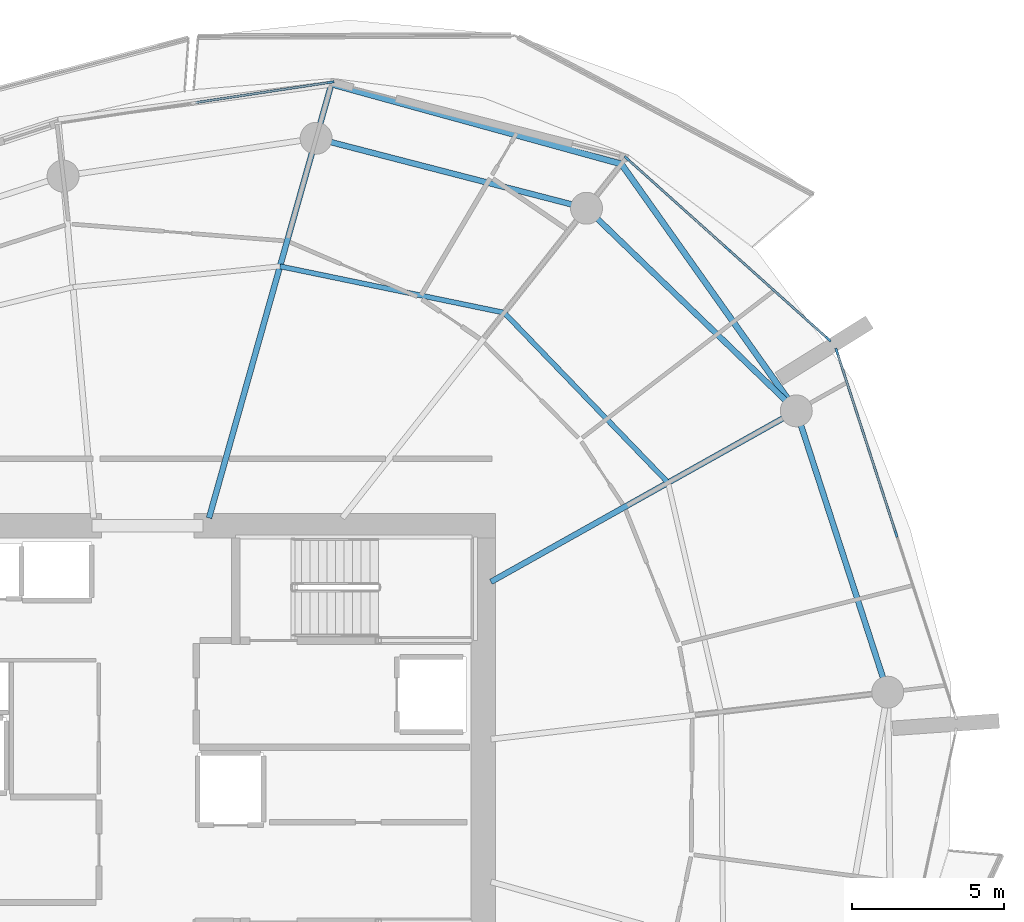
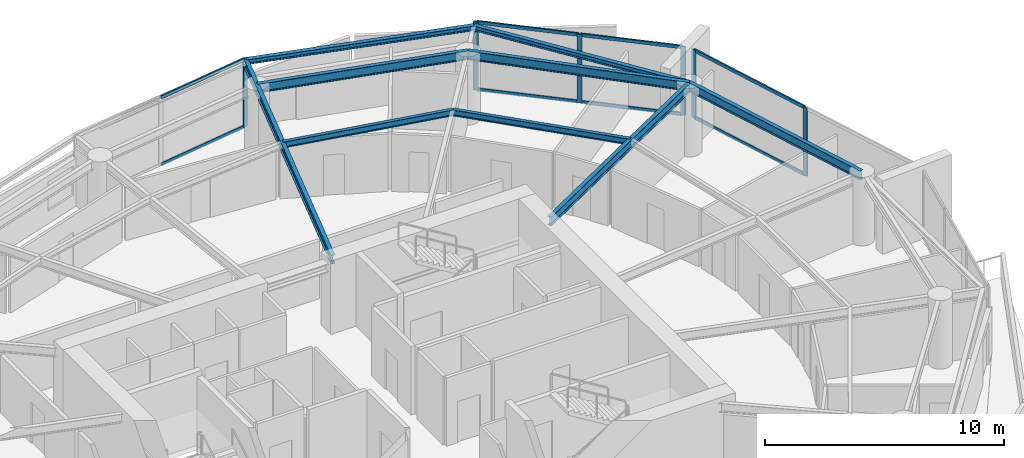
# One storey, part 9 of 20: 14 members, 9 beams, 3 elements without a shape of their own.
"""IFC4 building model written with IfcOpenShell, lengths in metres."""

from ifc_helpers import new_model, si_unit, direction, frame, origin, origin_2d, place, context, subcontext, project, spatial, rectangle, i_section, extrude, material, layer, layer_set, material_profile, profile_set, type_object, element, aggregate, save


model = new_model("IFC4")

# Units and contexts
model_context = context("Model", 3, precision=1e-05, world=origin(), true_north=direction((0.0, 1.0)))
body_context = subcontext(model_context, "Body", "Model", "MODEL_VIEW")
ifc_project = project(units=[si_unit("LENGTHUNIT", "METRE"), si_unit("AREAUNIT", "SQUARE_METRE"), si_unit("VOLUMEUNIT", "CUBIC_METRE"), si_unit("PLANEANGLEUNIT", "RADIAN"), si_unit("MASSUNIT", "GRAM", prefix="KILO")], contexts=[model_context])

# Site, building, storey
site_placement = place(None, origin())
site = spatial("IfcSite", under=ifc_project, at=site_placement, CompositionType="ELEMENT")
building_placement = place(site_placement, origin())
building = spatial("IfcBuilding", under=site, at=building_placement, Name="Kazma Halo Residences", CompositionType="ELEMENT")
storey_placement = place(building_placement, frame((0.0, 0.0, 139.050048828125)))
storey = spatial("IfcBuildingStorey", under=building, at=storey_placement, Name="L34", CompositionType="ELEMENT", Elevation=139.050048828125)

# Beams
ifc_material_1 = material(Name="Steel S355", Category="steel")
ifc_material_profile_1 = material_profile(ifc_material_1, i_section(OverallWidth=0.201904296875, OverallDepth=0.2470703125, WebThickness=0.00732421875, FlangeThickness=0.010986328125, FilletRadius=0.011962890625, at=origin_2d()), Name="W250x49.1")
ifc_profile_set_1 = profile_set([ifc_material_profile_1], Name="Steel S355")
beam_type_1 = type_object("IfcBeamType", Name="BM-BAL-CANT", PredefinedType="BEAM", material=ifc_profile_set_1)
beam_1_placement = place(storey_placement, frame((69.730224609375, 54.16943359375, 3.37646484375), z_axis=(-0.578203432081, 0.81589263456, 0.0), x_axis=(-0.81589263456, -0.578203432081, 0.0)))
element("IfcBeam", 1, at=beam_1_placement, inside=storey, type_object=beam_type_1, Name="L34 wave-balcony lead tie beam 01", PredefinedType="BEAM", context=body_context, shape_type="SweptSolid", body=[
    extrude(i_section(OverallWidth=0.201904296875, OverallDepth=0.2470703125, WebThickness=0.00732421875, FlangeThickness=0.010986328125, FilletRadius=0.011962890625, at=origin_2d()), origin(), (0.0, 0.0, 1.0), 9.9365234375),
])
beam_2_placement = place(storey_placement, frame((63.98486328125, 62.276611328125, 3.37646484375), z_axis=(-0.964045237638, 0.265738179019, 0.0), x_axis=(-0.265738179019, -0.964045237638, 0.0)))
element("IfcBeam", 2, at=beam_2_placement, inside=storey, type_object=beam_type_1, Name="L34 wave-balcony tie beam 02", PredefinedType="BEAM", context=body_context, shape_type="SweptSolid", body=[
    extrude(i_section(OverallWidth=0.201904296875, OverallDepth=0.2470703125, WebThickness=0.00732421875, FlangeThickness=0.010986328125, FilletRadius=0.011962890625, at=origin_2d()), origin(), (0.0, 0.0, 1.0), 9.880859375),
])
ifc_material_profile_2 = material_profile(ifc_material_1, i_section(OverallWidth=0.18994140625, OverallDepth=0.45703125, WebThickness=0.009033203125, FlangeThickness=0.014404296875, FilletRadius=0.01611328125, at=origin_2d()), Name="W460x74")
ifc_profile_set_2 = profile_set([ifc_material_profile_2], Name="Steel S355")
beam_type_2 = type_object("IfcBeamType", Name="BM-RAD-W460", PredefinedType="BEAM", material=ifc_profile_set_2)
beam_3_placement = place(storey_placement, frame((59.699951171875, 48.55224609375, 3.271484375), z_axis=(0.872497324456, 0.488618889132, 0.0), x_axis=(-0.488618889132, 0.872497324456, 0.0)))
element("IfcBeam", 3, at=beam_3_placement, inside=storey, type_object=beam_type_2, Name="L34 radial floor beam 01", PredefinedType="BEAM", context=body_context, shape_type="SweptSolid", body=[
    extrude(i_section(OverallWidth=0.18994140625, OverallDepth=0.45703125, WebThickness=0.009033203125, FlangeThickness=0.014404296875, FilletRadius=0.01611328125, at=origin_2d()), origin(), (0.0, 0.0, 1.0), 11.49609375),
])
beam_4_placement = place(storey_placement, frame((50.439697265625, 50.64990234375, 3.271484375), z_axis=(0.271435886816, 0.962456523355, 0.0), x_axis=(-0.962456523355, 0.271435886816, 0.0)))
element("IfcBeam", 4, at=beam_4_placement, inside=storey, type_object=beam_type_2, Name="L34 radial floor beam 03", PredefinedType="BEAM", context=body_context, shape_type="SweptSolid", body=[
    extrude(i_section(OverallWidth=0.18994140625, OverallDepth=0.45703125, WebThickness=0.009033203125, FlangeThickness=0.014404296875, FilletRadius=0.01611328125, at=origin_2d()), origin(), (0.0, 0.0, 1.0), 14.808349609375),
])
ifc_material_profile_3 = material_profile(ifc_material_1, i_section(OverallWidth=0.1650390625, OverallDepth=0.31005859375, WebThickness=0.005859375, FlangeThickness=0.009765625, FilletRadius=0.011962890625, at=origin_2d()), Name="W310x38.7")
ifc_profile_set_3 = profile_set([ifc_material_profile_3], Name="Steel S355")
beam_type_3 = type_object("IfcBeamType", Name="BM-SEC-W310B", PredefinedType="JOIST", material=ifc_profile_set_3)
beam_5_placement = place(storey_placement, frame((65.517578125, 51.810302734375, 3.344970703125), z_axis=(-0.694049338985, 0.719927437354, 0.0), x_axis=(-0.719927437354, -0.694049338985, 0.0)))
element("IfcBeam", 5, at=beam_5_placement, inside=storey, type_object=beam_type_3, Name="L34 circumferential floor joist 01", PredefinedType="JOIST", context=body_context, shape_type="SweptSolid", body=[
    extrude(i_section(OverallWidth=0.1650390625, OverallDepth=0.31005859375, WebThickness=0.005859375, FlangeThickness=0.009765625, FilletRadius=0.011962890625, at=origin_2d()), origin(), (0.0, 0.0, 1.0), 7.7548828125),
])
beam_6_placement = place(storey_placement, frame((60.13525390625, 57.393310546875, 3.344970703125), z_axis=(-0.979272189631, 0.202548706773, 0.0), x_axis=(-0.202548706773, -0.979272189631, 0.0)))
element("IfcBeam", 6, at=beam_6_placement, inside=storey, type_object=beam_type_3, Name="L34 circumferential floor joist 02", PredefinedType="JOIST", context=body_context, shape_type="SweptSolid", body=[
    extrude(i_section(OverallWidth=0.1650390625, OverallDepth=0.31005859375, WebThickness=0.005859375, FlangeThickness=0.009765625, FilletRadius=0.011962890625, at=origin_2d()), origin(), (0.0, 0.0, 1.0), 7.52001953125),
])
ifc_material_profile_4 = material_profile(ifc_material_1, i_section(OverallWidth=0.18994140625, OverallDepth=0.45703125, WebThickness=0.009033203125, FlangeThickness=0.014404296875, FilletRadius=0.01611328125, at=origin_2d()), Name="W460x74")
ifc_profile_set_4 = profile_set([ifc_material_profile_4], Name="Steel S355")
beam_type_4 = type_object("IfcBeamType", Name="BM-SPN-W460", PredefinedType="BEAM", material=ifc_profile_set_4)
beam_7_placement = place(storey_placement, frame((69.730224609375, 54.16943359375, 3.271484375), z_axis=(-0.719334705845, 0.694663645923, 0.0), x_axis=(-0.694663645923, -0.719334705845, 0.0)))
element("IfcBeam", 7, at=beam_7_placement, inside=storey, type_object=beam_type_4, Name="L34 perimeter ring beam 01", PredefinedType="BEAM", context=body_context, shape_type="SweptSolid", body=[
    extrude(i_section(OverallWidth=0.18994140625, OverallDepth=0.45703125, WebThickness=0.009033203125, FlangeThickness=0.014404296875, FilletRadius=0.01611328125, at=origin_2d()), origin(), (0.0, 0.0, 1.0), 9.5791015625),
])
beam_8_placement = place(storey_placement, frame((62.839599609375, 60.82373046875, 3.271484375), z_axis=(-0.968123664213, 0.250472694699, 0.0), x_axis=(-0.250472694699, -0.968123664213, 0.0)))
element("IfcBeam", 8, at=beam_8_placement, inside=storey, type_object=beam_type_4, Name="L34 perimeter ring beam 02", PredefinedType="BEAM", context=body_context, shape_type="SweptSolid", body=[
    extrude(i_section(OverallWidth=0.18994140625, OverallDepth=0.45703125, WebThickness=0.009033203125, FlangeThickness=0.014404296875, FilletRadius=0.01611328125, at=origin_2d()), origin(), (0.0, 0.0, 1.0), 9.175048828125),
])
beam_9_placement = place(storey_placement, frame((72.733154296875, 44.927490234375, 3.271484375), z_axis=(-0.309020741629, 0.95105529873, 0.0), x_axis=(-0.95105529873, -0.309020741629, 0.0)))
element("IfcBeam", 9, at=beam_9_placement, inside=storey, type_object=beam_type_4, Name="L34 perimeter ring beam 16", PredefinedType="BEAM", context=body_context, shape_type="SweptSolid", body=[
    extrude(i_section(OverallWidth=0.18994140625, OverallDepth=0.45703125, WebThickness=0.009033203125, FlangeThickness=0.014404296875, FilletRadius=0.01611328125, at=origin_2d()), origin(), (0.0, 0.0, 1.0), 9.717529296875),
])

# Curtain wall, members
ifc_material_2 = material(Name="Aluminium AW-6063 T6 and Triple-Silver Low-E Glass", Category="aluminium")
ifc_layer = layer(ifc_material_2, 0.219970703125)
ifc_layer_set = layer_set([ifc_layer], Name="Aluminium AW-6063 T6 and Triple-Silver Low-E Glass")
curtain_wall_type = type_object("IfcCurtainWallType", Name="CW-SYS-4", PredefinedType="NOTDEFINED", material=ifc_layer_set)
curtain_wall_1_placement = place(storey_placement, origin())
curtain_wall_1 = element("IfcCurtainWall", 10, at=curtain_wall_1_placement, inside=storey, type_object=curtain_wall_type, Name="L34 unitised curtain wall B01", PredefinedType="NOTDEFINED")
ifc_material_3 = material(Name="Aluminium AW-6063 T6", Category="aluminium")
ifc_material_profile_5 = material_profile(ifc_material_3, rectangle(XDim=0.074951171875, YDim=0.219970703125, at=origin_2d()), Name="CWM-75x220")
ifc_profile_set_5 = profile_set([ifc_material_profile_5], Name="Aluminium AW-6063 T6")
member_type_1 = type_object("IfcMemberType", Name="CW-SYS-4-MUL", PredefinedType="MULLION", material=ifc_profile_set_5)
member_1_placement = place(storey_placement, frame((70.778564453125, 56.5263671875, 0.0), z_axis=(0.0, 0.0, 1.0), x_axis=(-0.667770096247, -0.744367582957, 0.0)))
member_1 = element("IfcMember", 11, at=member_1_placement, type_object=member_type_1, Name="CWS-4 mullion 1", PredefinedType="MULLION", context=body_context, shape_type="SweptSolid", body=[
    extrude(rectangle(XDim=0.074951171875, YDim=0.219970703125, at=origin_2d()), origin(), (0.0, 0.0, 1.0), 3.5),
])
member_2_placement = place(storey_placement, frame((67.47509765625, 59.48974609375, 0.0), z_axis=(0.0, 0.0, 1.0), x_axis=(-0.667770096247, -0.744367582957, 0.0)))
member_2 = element("IfcMember", 12, at=member_2_placement, type_object=member_type_1, Name="CWS-4 mullion 2", PredefinedType="MULLION", context=body_context, shape_type="SweptSolid", body=[
    extrude(rectangle(XDim=0.074951171875, YDim=0.219970703125, at=origin_2d()), origin(), (0.0, 0.0, 1.0), 3.5),
])
member_3_placement = place(storey_placement, frame((64.171630859375, 62.453369140625, 0.0), z_axis=(0.0, 0.0, 1.0), x_axis=(-0.667770096247, -0.744367582957, 0.0)))
member_3 = element("IfcMember", 13, at=member_3_placement, type_object=member_type_1, Name="CWS-4 mullion 3", PredefinedType="MULLION", context=body_context, shape_type="SweptSolid", body=[
    extrude(rectangle(XDim=0.074951171875, YDim=0.219970703125, at=origin_2d()), origin(), (0.0, 0.0, 1.0), 3.5),
])

# Curtain wall, member
curtain_wall_2_placement = place(storey_placement, origin())
curtain_wall_2 = element("IfcCurtainWall", 14, at=curtain_wall_2_placement, inside=storey, type_object=curtain_wall_type, Name="L34 unitised curtain wall B03", PredefinedType="NOTDEFINED")
member_4_placement = place(storey_placement, frame((54.440673828125, 64.962890625, 0.0), z_axis=(0.0, 0.0, 1.0), x_axis=(0.148821022686, -0.988864148004, 0.0)))
member_4 = element("IfcMember", 15, at=member_4_placement, type_object=member_type_1, Name="CWS-4 mullion 1", PredefinedType="MULLION", context=body_context, shape_type="SweptSolid", body=[
    extrude(rectangle(XDim=0.074951171875, YDim=0.219970703125, at=origin_2d()), origin(), (0.0, 0.0, 1.0), 3.5),
])

# Curtain wall, members
curtain_wall_3_placement = place(storey_placement, origin())
curtain_wall_3 = element("IfcCurtainWall", 16, at=curtain_wall_3_placement, inside=storey, type_object=curtain_wall_type, Name="L34 unitised curtain wall B16", PredefinedType="NOTDEFINED")
member_5_placement = place(storey_placement, frame((73.009033203125, 50.1259765625, 0.0), z_axis=(0.0, 0.0, 1.0), x_axis=(-0.951057547609, -0.3090138203, 0.0)))
member_5 = element("IfcMember", 17, at=member_5_placement, type_object=member_type_1, Name="CWS-4 mullion 2", PredefinedType="MULLION", context=body_context, shape_type="SweptSolid", body=[
    extrude(rectangle(XDim=0.074951171875, YDim=0.219970703125, at=origin_2d()), origin(), (0.0, 0.0, 1.0), 3.5),
])
member_6_placement = place(storey_placement, frame((71.062255859375, 56.117431640625, 0.0), z_axis=(0.0, 0.0, 1.0), x_axis=(-0.951057547609, -0.3090138203, 0.0)))
member_6 = element("IfcMember", 18, at=member_6_placement, type_object=member_type_1, Name="CWS-4 mullion 3", PredefinedType="MULLION", context=body_context, shape_type="SweptSolid", body=[
    extrude(rectangle(XDim=0.074951171875, YDim=0.219970703125, at=origin_2d()), origin(), (0.0, 0.0, 1.0), 3.5),
])

# Member
ifc_material_profile_6 = material_profile(ifc_material_3, rectangle(XDim=0.074951171875, YDim=0.1650390625, at=origin_2d()), Name="CWT-75x165")
ifc_profile_set_6 = profile_set([ifc_material_profile_6], Name="Aluminium AW-6063 T6")
member_type_2 = type_object("IfcMemberType", Name="CW-SYS-4-TRN", PredefinedType="USERDEFINED", material=ifc_profile_set_6)
member_7_placement = place(storey_placement, frame((70.75048828125, 56.55126953125, 0.037353515625), z_axis=(-0.744344978888, 0.66779529229, 0.0), x_axis=(-0.66779529229, -0.744344978888, 0.0)))
member_7 = element("IfcMember", 19, at=member_7_placement, type_object=member_type_2, Name="CWS-4 transom 1.1", ObjectType="TRANSOM", PredefinedType="USERDEFINED", context=body_context, shape_type="SweptSolid", body=[
    extrude(rectangle(XDim=0.074951171875, YDim=0.1650390625, at=origin_2d()), origin(), (0.0, 0.0, 1.0), 4.363037109375),
])

member_8_placement = place(storey_placement, frame((70.75048828125, 56.55126953125, 3.46240234375), z_axis=(-0.744344978888, 0.66779529229, 0.0), x_axis=(-0.66779529229, -0.744344978888, 0.0)))
member_8 = element("IfcMember", 20, at=member_8_placement, type_object=member_type_2, Name="CWS-4 transom 1.2", ObjectType="TRANSOM", PredefinedType="USERDEFINED", context=body_context, shape_type="SweptSolid", body=[
    extrude(rectangle(XDim=0.074951171875, YDim=0.1650390625, at=origin_2d()), origin(), (0.0, 0.0, 1.0), 4.363037109375),
])

member_9_placement = place(storey_placement, frame((67.447265625, 59.514892578125, 0.037353515625), z_axis=(-0.744372794017, 0.667764287401, 0.0), x_axis=(-0.667764287401, -0.744372794017, 0.0)))
member_9 = element("IfcMember", 21, at=member_9_placement, type_object=member_type_2, Name="CWS-4 transom 2.1", ObjectType="TRANSOM", PredefinedType="USERDEFINED", context=body_context, shape_type="SweptSolid", body=[
    extrude(rectangle(XDim=0.074951171875, YDim=0.1650390625, at=origin_2d()), origin(), (0.0, 0.0, 1.0), 4.36279296875),
])

member_10_placement = place(storey_placement, frame((67.447265625, 59.514892578125, 3.46240234375), z_axis=(-0.744372794017, 0.667764287401, 0.0), x_axis=(-0.667764287401, -0.744372794017, 0.0)))
member_10 = element("IfcMember", 22, at=member_10_placement, type_object=member_type_2, Name="CWS-4 transom 2.2", ObjectType="TRANSOM", PredefinedType="USERDEFINED", context=body_context, shape_type="SweptSolid", body=[
    extrude(rectangle(XDim=0.074951171875, YDim=0.1650390625, at=origin_2d()), origin(), (0.0, 0.0, 1.0), 4.36279296875),
])

aggregate(curtain_wall_1, [member_1, member_2, member_3, member_7, member_8, member_9, member_10])

member_11_placement = place(storey_placement, frame((54.403564453125, 64.957275390625, 0.037353515625), z_axis=(-0.988866721231, -0.148803923478, 0.0), x_axis=(0.148803923478, -0.988866721231, 0.0)))
member_11 = element("IfcMember", 23, at=member_11_placement, type_object=member_type_2, Name="CWS-4 transom 1.1", ObjectType="TRANSOM", PredefinedType="USERDEFINED", context=body_context, shape_type="SweptSolid", body=[
    extrude(rectangle(XDim=0.074951171875, YDim=0.1650390625, at=origin_2d()), origin(), (0.0, 0.0, 1.0), 4.4560546875),
])

member_12_placement = place(storey_placement, frame((54.403564453125, 64.957275390625, 3.46240234375), z_axis=(-0.988866721231, -0.148803923478, 0.0), x_axis=(0.148803923478, -0.988866721231, 0.0)))
member_12 = element("IfcMember", 24, at=member_12_placement, type_object=member_type_2, Name="CWS-4 transom 1.2", ObjectType="TRANSOM", PredefinedType="USERDEFINED", context=body_context, shape_type="SweptSolid", body=[
    extrude(rectangle(XDim=0.074951171875, YDim=0.1650390625, at=origin_2d()), origin(), (0.0, 0.0, 1.0), 4.4560546875),
])

aggregate(curtain_wall_2, [member_4, member_11, member_12])

member_13_placement = place(storey_placement, frame((72.99755859375, 50.16162109375, 0.037353515625), z_axis=(-0.309017784977, 0.951056259413, 0.0), x_axis=(-0.951056259413, -0.309017784977, 0.0)))
member_13 = element("IfcMember", 25, at=member_13_placement, type_object=member_type_2, Name="CWS-4 transom 2.1", ObjectType="TRANSOM", PredefinedType="USERDEFINED", context=body_context, shape_type="SweptSolid", body=[
    extrude(rectangle(XDim=0.074951171875, YDim=0.1650390625, at=origin_2d()), origin(), (0.0, 0.0, 1.0), 6.224853515625),
])

member_14_placement = place(storey_placement, frame((72.99755859375, 50.16162109375, 3.46240234375), z_axis=(-0.309017784977, 0.951056259413, 0.0), x_axis=(-0.951056259413, -0.309017784977, 0.0)))
member_14 = element("IfcMember", 26, at=member_14_placement, type_object=member_type_2, Name="CWS-4 transom 2.2", ObjectType="TRANSOM", PredefinedType="USERDEFINED", context=body_context, shape_type="SweptSolid", body=[
    extrude(rectangle(XDim=0.074951171875, YDim=0.1650390625, at=origin_2d()), origin(), (0.0, 0.0, 1.0), 6.224853515625),
])

aggregate(curtain_wall_3, [member_5, member_6, member_13, member_14])

save(model, "model.ifc")
